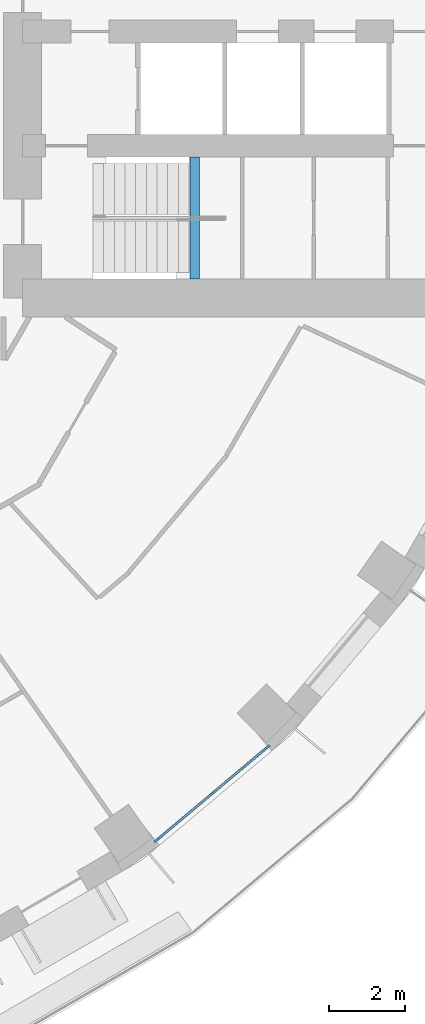
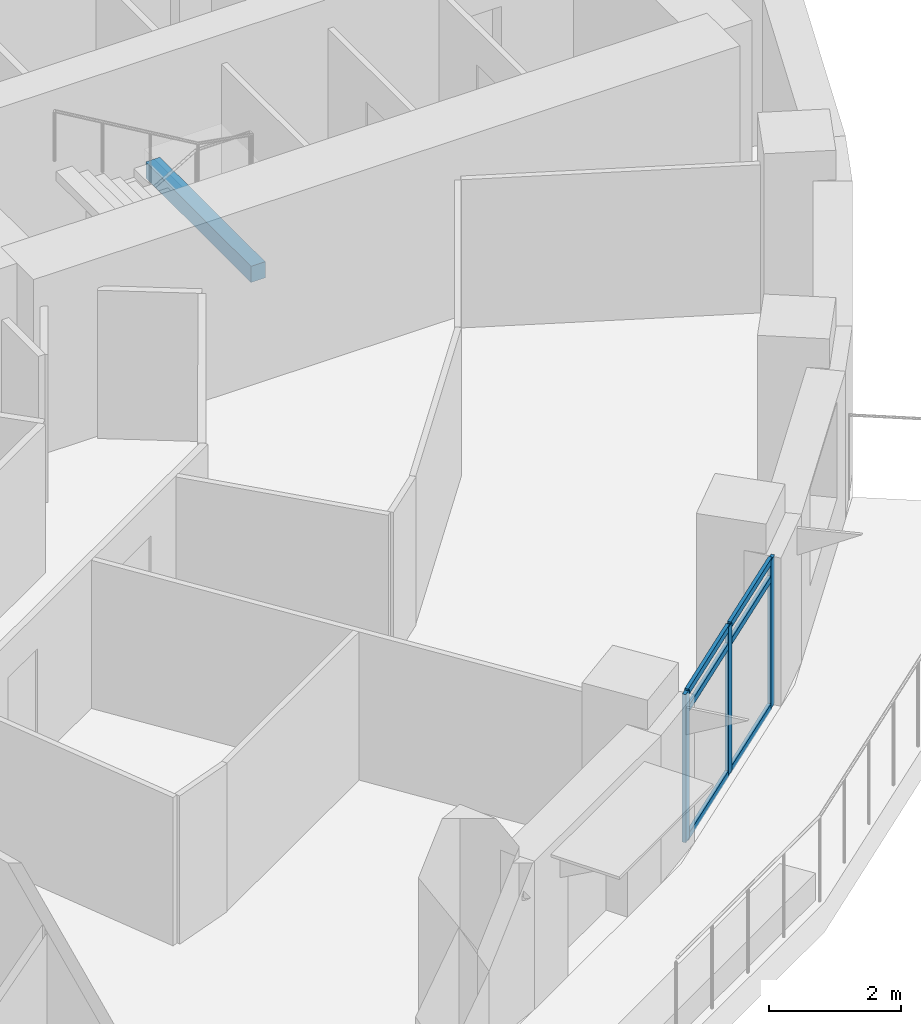
# One storey, part 3 of 17: 9 members, 1 beam, 1 element without a shape of its own.
"""IFC4 building model written with IfcOpenShell, lengths in metres."""

from ifc_helpers import new_model, si_unit, direction, frame, origin, origin_2d, place, context, subcontext, project, spatial, rectangle, extrude, material, layer, layer_set, material_profile, profile_set, type_object, element, aggregate, save


model = new_model("IFC4")

# Units and contexts
model_context = context("Model", 3, precision=1e-05, world=origin(), true_north=direction((0.0, 1.0)))
body_context = subcontext(model_context, "Body", "Model", "MODEL_VIEW")
ifc_project = project(units=[si_unit("LENGTHUNIT", "METRE"), si_unit("AREAUNIT", "SQUARE_METRE"), si_unit("VOLUMEUNIT", "CUBIC_METRE"), si_unit("PLANEANGLEUNIT", "RADIAN"), si_unit("MASSUNIT", "GRAM", prefix="KILO")], contexts=[model_context])

# Site, building, storey
site_placement = place(None, origin())
site = spatial("IfcSite", under=ifc_project, at=site_placement, CompositionType="ELEMENT")
building_placement = place(site_placement, origin())
building = spatial("IfcBuilding", under=site, at=building_placement, Name="Saqina Gate Tower", CompositionType="ELEMENT")
storey_placement = place(building_placement, frame((0.0, 0.0, 29.60009765625)))
storey = spatial("IfcBuildingStorey", under=building, at=storey_placement, Name="L07", CompositionType="ELEMENT", Elevation=29.60009765625)

# Curtain wall, members
ifc_material_1 = material(Name="Aluminium glazing", Category="aluminium")
ifc_layer = layer(ifc_material_1, 0.159912109375)
ifc_layer_set = layer_set([ifc_layer], Name="CWT-4")
curtain_wall_type = type_object("IfcCurtainWallType", Name="CWT-4", PredefinedType="NOTDEFINED", material=ifc_layer_set)
curtain_wall_placement = place(storey_placement, origin())
curtain_wall = element("IfcCurtainWall", 1, at=curtain_wall_placement, inside=storey, type_object=curtain_wall_type, Name="Terrace lounge glazing facet 31", PredefinedType="NOTDEFINED")
ifc_material_2 = material(Name="Aluminium", Category="aluminium")
ifc_material_profile_1 = material_profile(ifc_material_2, rectangle(XDim=0.06005859375, YDim=0.159912109375, at=origin_2d()), Name="Aluminium 60x160")
ifc_profile_set_1 = profile_set([ifc_material_profile_1], Name="Aluminium")
member_type_1 = type_object("IfcMemberType", Name="CWT-4M", PredefinedType="MULLION", material=ifc_profile_set_1)
member_1_placement = place(storey_placement, frame((17.0234375, -23.232666015625, 0.0), z_axis=(0.0, 0.0, 1.0), x_axis=(-0.642791970033, 0.766040784332, 0.0)))
member_1 = element("IfcMember", 2, at=member_1_placement, type_object=member_type_1, Name="CW4-31 mullion 1", PredefinedType="MULLION", context=body_context, shape_type="SweptSolid", body=[
    extrude(rectangle(XDim=0.06005859375, YDim=0.159912109375, at=origin_2d()), origin(), (0.0, 0.0, 1.0), 2.75),
])
member_2_placement = place(storey_placement, frame((18.473388671875, -22.015869140625, 0.0), z_axis=(0.0, 0.0, 1.0), x_axis=(-0.642791970033, 0.766040784332, 0.0)))
member_2 = element("IfcMember", 3, at=member_2_placement, type_object=member_type_1, Name="CW4-31 mullion 2", PredefinedType="MULLION", context=body_context, shape_type="SweptSolid", body=[
    extrude(rectangle(XDim=0.06005859375, YDim=0.159912109375, at=origin_2d()), origin(), (0.0, 0.0, 1.0), 2.75),
])
member_3_placement = place(storey_placement, frame((19.923583984375, -20.799072265625, 0.0), z_axis=(0.0, 0.0, 1.0), x_axis=(-0.642791970033, 0.766040784332, 0.0)))
member_3 = element("IfcMember", 4, at=member_3_placement, type_object=member_type_1, Name="CW4-31 mullion 3", PredefinedType="MULLION", context=body_context, shape_type="SweptSolid", body=[
    extrude(rectangle(XDim=0.06005859375, YDim=0.159912109375, at=origin_2d()), origin(), (0.0, 0.0, 1.0), 2.75),
])
ifc_material_3 = material(Name="Aluminium", Category="aluminium")
ifc_material_profile_2 = material_profile(ifc_material_3, rectangle(XDim=0.06005859375, YDim=0.1201171875, at=origin_2d()), Name="Aluminium 60x120")
ifc_profile_set_2 = profile_set([ifc_material_profile_2], Name="Aluminium")
member_type_2 = type_object("IfcMemberType", Name="CWT-4T", PredefinedType="USERDEFINED", material=ifc_profile_set_2)
member_4_placement = place(storey_placement, frame((17.04638671875, -23.21337890625, 0.02978515625), z_axis=(0.766022272785, 0.642814030336, 0.0), x_axis=(-0.642814030336, 0.766022272785, 0.0)))
member_4 = element("IfcMember", 5, at=member_4_placement, type_object=member_type_2, Name="CW4-31 transom 1.1", ObjectType="TRANSOM", PredefinedType="USERDEFINED", context=body_context, shape_type="SweptSolid", body=[
    extrude(rectangle(XDim=0.06005859375, YDim=0.1201171875, at=origin_2d()), origin(), (0.0, 0.0, 1.0), 1.8330078125),
])
member_5_placement = place(storey_placement, frame((17.04638671875, -23.21337890625, 2.39990234375), z_axis=(0.766022272785, 0.642814030336, 0.0), x_axis=(-0.642814030336, 0.766022272785, 0.0)))
member_5 = element("IfcMember", 6, at=member_5_placement, type_object=member_type_2, Name="CW4-31 transom 1.2", ObjectType="TRANSOM", PredefinedType="USERDEFINED", context=body_context, shape_type="SweptSolid", body=[
    extrude(rectangle(XDim=0.06005859375, YDim=0.1201171875, at=origin_2d()), origin(), (0.0, 0.0, 1.0), 1.8330078125),
])
member_6_placement = place(storey_placement, frame((17.04638671875, -23.21337890625, 2.719970703125), z_axis=(0.766022272785, 0.642814030336, 0.0), x_axis=(-0.642814030336, 0.766022272785, 0.0)))
member_6 = element("IfcMember", 7, at=member_6_placement, type_object=member_type_2, Name="CW4-31 transom 1.3", ObjectType="TRANSOM", PredefinedType="USERDEFINED", context=body_context, shape_type="SweptSolid", body=[
    extrude(rectangle(XDim=0.06005859375, YDim=0.1201171875, at=origin_2d()), origin(), (0.0, 0.0, 1.0), 1.8330078125),
])
member_7_placement = place(storey_placement, frame((18.496337890625, -21.99658203125, 0.02978515625), z_axis=(0.766077303133, 0.642748446614, 0.0), x_axis=(-0.642748446614, 0.766077303133, 0.0)))
member_7 = element("IfcMember", 8, at=member_7_placement, type_object=member_type_2, Name="CW4-31 transom 2.1", ObjectType="TRANSOM", PredefinedType="USERDEFINED", context=body_context, shape_type="SweptSolid", body=[
    extrude(rectangle(XDim=0.06005859375, YDim=0.1201171875, at=origin_2d()), origin(), (0.0, 0.0, 1.0), 1.8330078125),
])
member_8_placement = place(storey_placement, frame((18.496337890625, -21.99658203125, 2.39990234375), z_axis=(0.766077303133, 0.642748446614, 0.0), x_axis=(-0.642748446614, 0.766077303133, 0.0)))
member_8 = element("IfcMember", 9, at=member_8_placement, type_object=member_type_2, Name="CW4-31 transom 2.2", ObjectType="TRANSOM", PredefinedType="USERDEFINED", context=body_context, shape_type="SweptSolid", body=[
    extrude(rectangle(XDim=0.06005859375, YDim=0.1201171875, at=origin_2d()), origin(), (0.0, 0.0, 1.0), 1.8330078125),
])
member_9_placement = place(storey_placement, frame((18.496337890625, -21.99658203125, 2.719970703125), z_axis=(0.766077303133, 0.642748446614, 0.0), x_axis=(-0.642748446614, 0.766077303133, 0.0)))
member_9 = element("IfcMember", 10, at=member_9_placement, type_object=member_type_2, Name="CW4-31 transom 2.3", ObjectType="TRANSOM", PredefinedType="USERDEFINED", context=body_context, shape_type="SweptSolid", body=[
    extrude(rectangle(XDim=0.06005859375, YDim=0.1201171875, at=origin_2d()), origin(), (0.0, 0.0, 1.0), 1.8330078125),
])
aggregate(curtain_wall, [member_1, member_2, member_3, member_4, member_5, member_6, member_7, member_8, member_9])

# Beam
ifc_material_4 = material(Name="Concrete C40/50", Category="concrete")
ifc_material_profile_3 = material_profile(ifc_material_4, rectangle(XDim=0.25, YDim=0.300048828125, at=origin_2d()), Name="STAIR LANDING BEAM")
ifc_profile_set_3 = profile_set([ifc_material_profile_3], Name="Concrete C40/50")
beam_type = type_object("IfcBeamType", Name="STAIR LANDING BEAM", PredefinedType="BEAM", material=ifc_profile_set_3)
beam_placement = place(storey_placement, frame((18.02001953125, -8.5, 1.25), z_axis=(0.0, 1.0, 0.0), x_axis=(-1.0, 0.0, 0.0)))
element("IfcBeam", 11, at=beam_placement, inside=storey, type_object=beam_type, Name="EXIT STAIR 2 LANDING BEAM", PredefinedType="BEAM", context=body_context, shape_type="SweptSolid", body=[
    extrude(rectangle(XDim=0.25, YDim=0.300048828125, at=origin_2d()), origin(), (0.0, 0.0, 1.0), 3.199951171875),
])

save(model, "model.ifc")
